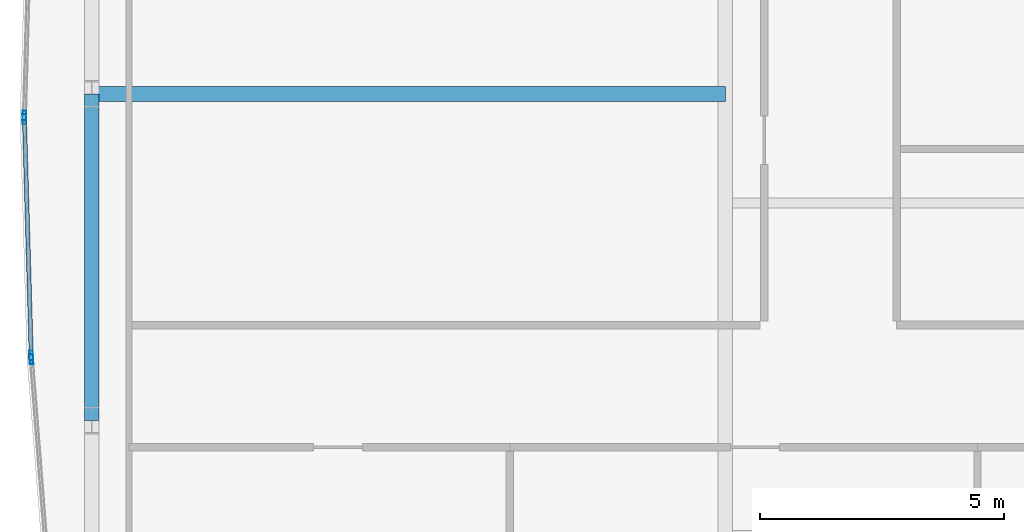
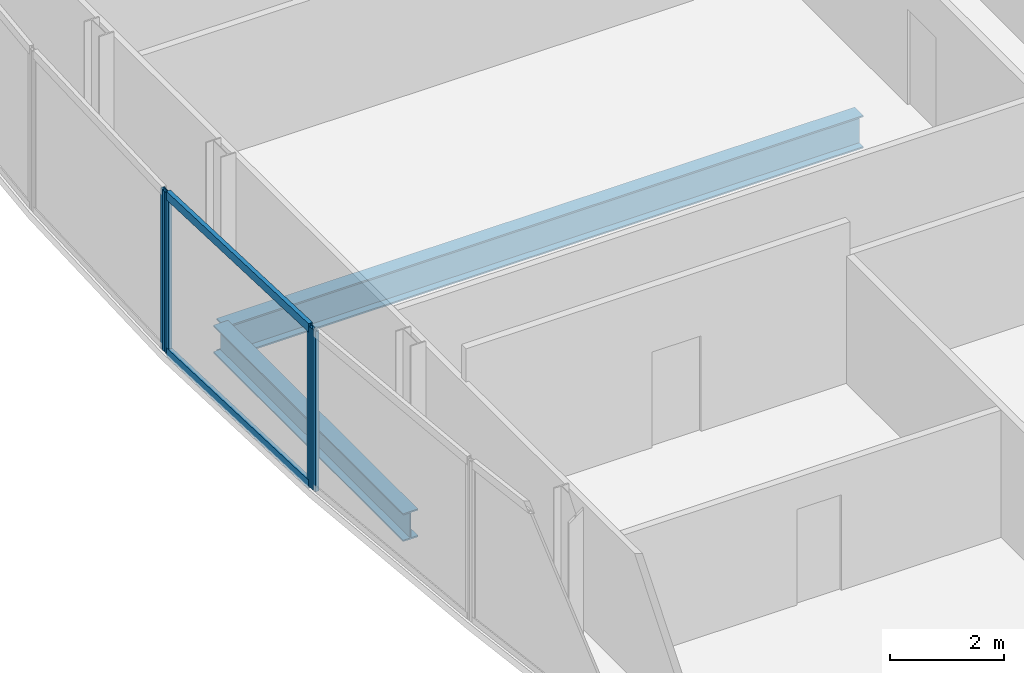
# One storey, part 10 of 29: 6 members, 2 beams, 3 elements without a shape of their own.
"""IFC4 building model written with IfcOpenShell, lengths in metres."""

from ifc_helpers import new_model, si_unit, direction, frame, origin, origin_2d, place, context, subcontext, project, spatial, hollow_rectangle, i_section, extrude, material, material_profile, profile_set, type_object, element, aggregate, save


model = new_model("IFC4")

# Units and contexts
model_context = context("Model", 3, precision=1e-05, world=origin(), true_north=direction((0.0, 1.0)))
body_context = subcontext(model_context, "Body", "Model", "MODEL_VIEW")
ifc_project = project(units=[si_unit("LENGTHUNIT", "METRE"), si_unit("AREAUNIT", "SQUARE_METRE"), si_unit("VOLUMEUNIT", "CUBIC_METRE"), si_unit("PLANEANGLEUNIT", "RADIAN"), si_unit("MASSUNIT", "GRAM", prefix="KILO")], contexts=[model_context])

# Site, building, storey
site_placement = place(None, origin())
site = spatial("IfcSite", under=ifc_project, at=site_placement, CompositionType="ELEMENT")
building_placement = place(site_placement, origin())
building = spatial("IfcBuilding", under=site, at=building_placement, Name="Khoronbel Lancet Exchange", CompositionType="ELEMENT")
storey_placement = place(building_placement, frame((0.0, 0.0, 139.800048828125)))
storey = spatial("IfcBuildingStorey", under=building, at=storey_placement, Name="L34", CompositionType="ELEMENT", Elevation=139.800048828125)

# Beams
ifc_material_1 = material(Name="Steel S355", Category="steel")
ifc_material_profile_1 = material_profile(ifc_material_1, i_section(OverallWidth=0.300048828125, OverallDepth=0.699951171875, WebThickness=0.01708984375, FlangeThickness=0.031982421875, at=origin_2d()), Name="HEB 700")
ifc_profile_set_1 = profile_set([ifc_material_profile_1], Name="Steel S355")
beam_type_1 = type_object("IfcBeamType", Name="BM-BG3", PredefinedType="BEAM", material=ifc_profile_set_1)
beam_1_placement = place(storey_placement, frame((5.27001953125, 31.425048828125, -0.510009765625), z_axis=(1.0, 0.0, 0.0), x_axis=(0.0, 1.0, 0.0)))
element("IfcBeam", 1, at=beam_1_placement, inside=storey, type_object=beam_type_1, Name="Level L34 west lens tie girder LG2W", PredefinedType="BEAM", context=body_context, shape_type="SweptSolid", body=[
    extrude(i_section(OverallWidth=0.300048828125, OverallDepth=0.699951171875, WebThickness=0.01708984375, FlangeThickness=0.031982421875, at=origin_2d()), origin(), (0.0, 0.0, 1.0), 12.955078125),
])
ifc_material_profile_2 = material_profile(ifc_material_1, i_section(OverallWidth=0.300048828125, OverallDepth=0.60009765625, WebThickness=0.015380859375, FlangeThickness=0.030029296875, at=origin_2d()), Name="HEB 600")
ifc_profile_set_2 = profile_set([ifc_material_profile_2], Name="Steel S355")
beam_type_2 = type_object("IfcBeamType", Name="BM-BSP2", PredefinedType="SPANDREL", material=ifc_profile_set_2)
beam_2_placement = place(storey_placement, frame((5.27001953125, 31.425048828125, -0.4599609375), z_axis=(0.0, -1.0, 0.0), x_axis=(1.0, 0.0, 0.0)))
element("IfcBeam", 2, at=beam_2_placement, inside=storey, type_object=beam_type_2, Name="Level L34 perimeter spandrel beam SP19", PredefinedType="SPANDREL", context=body_context, shape_type="SweptSolid", body=[
    extrude(i_section(OverallWidth=0.300048828125, OverallDepth=0.60009765625, WebThickness=0.015380859375, FlangeThickness=0.030029296875, at=origin_2d()), origin(), (0.0, 0.0, 1.0), 6.675048828125),
])

# Curtain wall, member
ifc_material_2 = material(Name="Low-E Solar Control Insulating Glass", Category="glass")
curtain_wall_type = type_object("IfcCurtainWallType", Name="CW-4", PredefinedType="NOTDEFINED", material=ifc_material_2)
curtain_wall_1_placement = place(storey_placement, origin())
curtain_wall_1 = element("IfcCurtainWall", 3, at=curtain_wall_1_placement, inside=storey, type_object=curtain_wall_type, Name="Unitised curtain wall CW-L34-E05", PredefinedType="NOTDEFINED")
ifc_material_3 = material(Name="Bronze-Anodised Aluminium 6063-T6", Category="aluminium")
ifc_material_profile_3 = material_profile(ifc_material_3, hollow_rectangle(XDim=0.074951171875, YDim=0.199951171875, WallThickness=0.0048828125, at=origin_2d()), Name="ALU MULLION 75x200")
ifc_profile_set_3 = profile_set([ifc_material_profile_3], Name="Bronze-Anodised Aluminium 6063-T6")
member_type_1 = type_object("IfcMemberType", Name="MEM-CWM2", PredefinedType="MULLION", material=ifc_profile_set_3)
member_1_placement = place(storey_placement, frame((4.033447265625, 26.000732421875, 0.0), z_axis=(0.0, 0.0, 1.0), x_axis=(-0.996959555693, -0.077920756627, 0.0)))
member_1 = element("IfcMember", 4, at=member_1_placement, type_object=member_type_1, Name="CW4 mullion 2", PredefinedType="MULLION", context=body_context, shape_type="SweptSolid", body=[
    extrude(hollow_rectangle(XDim=0.074951171875, YDim=0.199951171875, WallThickness=0.0048828125, at=origin_2d()), origin(), (0.0, 0.0, 1.0), 3.43994140625),
])
aggregate(curtain_wall_1, [member_1])

# Curtain wall, members
curtain_wall_2_placement = place(storey_placement, origin())
curtain_wall_2 = element("IfcCurtainWall", 5, at=curtain_wall_2_placement, inside=storey, type_object=curtain_wall_type, Name="Unitised curtain wall CW-L34-E06", PredefinedType="NOTDEFINED")
member_2_placement = place(storey_placement, frame((4.029541015625, 26.07568359375, 0.0), z_axis=(0.0, 0.0, 1.0), x_axis=(-0.999590574553, -0.028612641702, 0.0)))
member_2 = element("IfcMember", 6, at=member_2_placement, type_object=member_type_1, Name="CW4 mullion 1", PredefinedType="MULLION", context=body_context, shape_type="SweptSolid", body=[
    extrude(hollow_rectangle(XDim=0.074951171875, YDim=0.199951171875, WallThickness=0.0048828125, at=origin_2d()), origin(), (0.0, 0.0, 1.0), 3.43994140625),
])
member_3_placement = place(storey_placement, frame((3.89111328125, 30.91259765625, 0.0), z_axis=(0.0, 0.0, 1.0), x_axis=(-0.999590574553, -0.028612641702, 0.0)))
member_3 = element("IfcMember", 7, at=member_3_placement, type_object=member_type_1, Name="CW4 mullion 2", PredefinedType="MULLION", context=body_context, shape_type="SweptSolid", body=[
    extrude(hollow_rectangle(XDim=0.074951171875, YDim=0.199951171875, WallThickness=0.0048828125, at=origin_2d()), origin(), (0.0, 0.0, 1.0), 3.43994140625),
])

# Curtain wall, member
curtain_wall_3_placement = place(storey_placement, origin())
curtain_wall_3 = element("IfcCurtainWall", 8, at=curtain_wall_3_placement, inside=storey, type_object=curtain_wall_type, Name="Unitised curtain wall CW-L34-E07", PredefinedType="NOTDEFINED")
member_4_placement = place(storey_placement, frame((3.89111328125, 30.987548828125, 0.0), z_axis=(0.0, 0.0, 1.0), x_axis=(-0.999590574553, 0.028612641702, 0.0)))
member_4 = element("IfcMember", 9, at=member_4_placement, type_object=member_type_1, Name="CW4 mullion 1", PredefinedType="MULLION", context=body_context, shape_type="SweptSolid", body=[
    extrude(hollow_rectangle(XDim=0.074951171875, YDim=0.199951171875, WallThickness=0.0048828125, at=origin_2d()), origin(), (0.0, 0.0, 1.0), 3.43994140625),
])
aggregate(curtain_wall_3, [member_4])

# Member
ifc_material_profile_4 = material_profile(ifc_material_3, hollow_rectangle(XDim=0.0849609375, YDim=0.179931640625, WallThickness=0.0048828125, at=origin_2d()), Name="ALU TRANSOM 85x180")
ifc_profile_set_4 = profile_set([ifc_material_profile_4], Name="Bronze-Anodised Aluminium 6063-T6")
member_type_2 = type_object("IfcMemberType", Name="MEM-CWT1", PredefinedType="USERDEFINED", material=ifc_profile_set_4)
member_5_placement = place(storey_placement, frame((4.028564453125, 26.113037109375, 0.04248046875), z_axis=(-0.02864755561, 0.999589574554, 0.0), x_axis=(-0.999589574554, -0.02864755561, 0.0)))
member_5 = element("IfcMember", 10, at=member_5_placement, type_object=member_type_2, Name="CW4 transom 1.1", ObjectType="TRANSOM", PredefinedType="USERDEFINED", context=body_context, shape_type="SweptSolid", body=[
    extrude(hollow_rectangle(XDim=0.0849609375, YDim=0.179931640625, WallThickness=0.0048828125, at=origin_2d()), origin(), (0.0, 0.0, 1.0), 4.763916015625),
])

member_6_placement = place(storey_placement, frame((4.028564453125, 26.113037109375, 3.3974609375), z_axis=(-0.02864755561, 0.999589574554, 0.0), x_axis=(-0.999589574554, -0.02864755561, 0.0)))
member_6 = element("IfcMember", 11, at=member_6_placement, type_object=member_type_2, Name="CW4 transom 1.2", ObjectType="TRANSOM", PredefinedType="USERDEFINED", context=body_context, shape_type="SweptSolid", body=[
    extrude(hollow_rectangle(XDim=0.0849609375, YDim=0.179931640625, WallThickness=0.0048828125, at=origin_2d()), origin(), (0.0, 0.0, 1.0), 4.763916015625),
])

aggregate(curtain_wall_2, [member_2, member_3, member_5, member_6])

save(model, "model.ifc")
